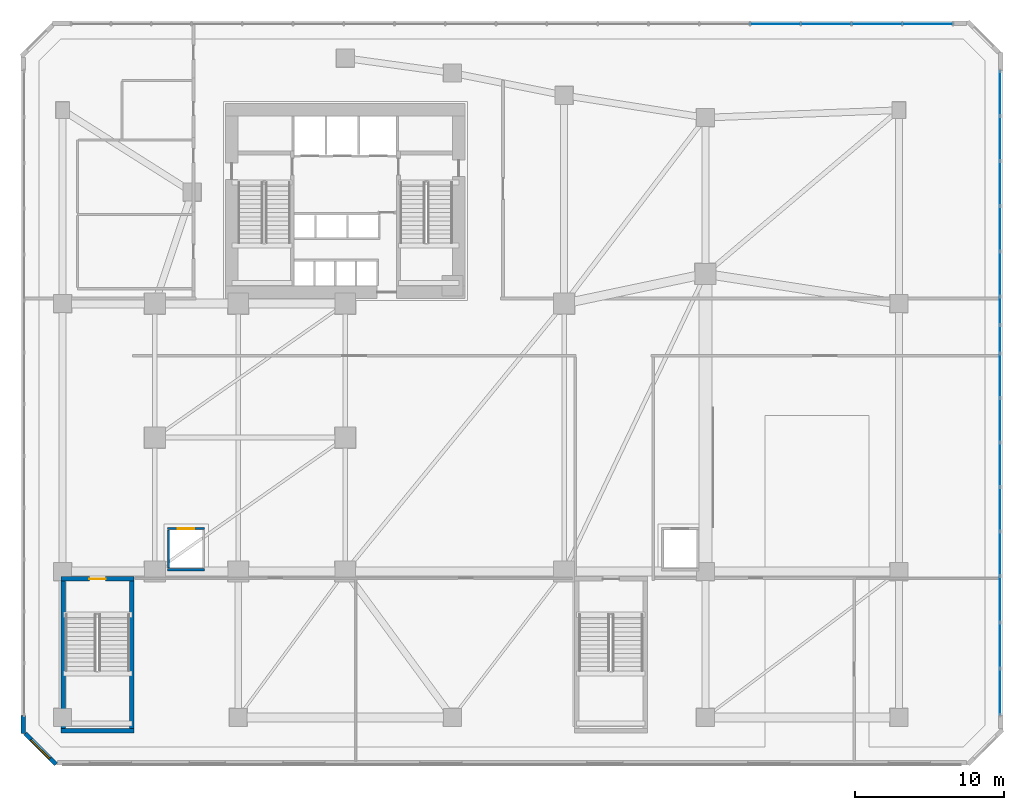
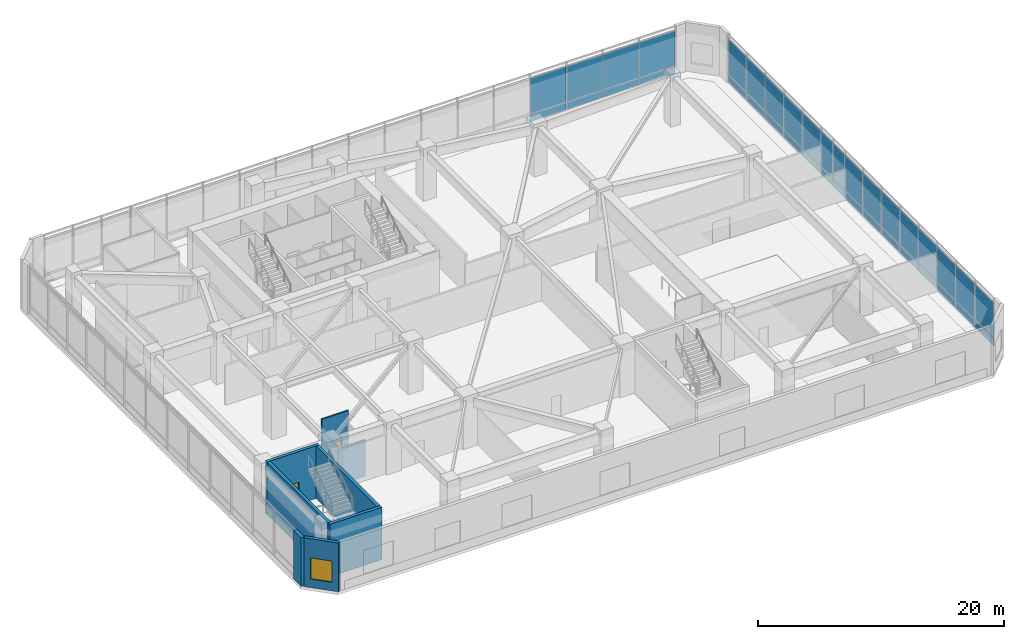
# One storey, part 9 of 15: 38 plates, 9 walls, 2 doors, 1 window, 3 openings, 2 elements without a shape of their own.
"""IFC4 building model written with IfcOpenShell, lengths in metres."""

from ifc_helpers import new_model, si_unit, direction, frame, frame_2d, origin, place, context, subcontext, project, spatial, rectangle, extrude, source, transform, mapped, material, layer, layer_set, type_object, element, fill, aggregate, save


model = new_model("IFC4")

# Units and contexts
model_context = context("Model", 3, precision=1e-05, world=origin(), true_north=direction((0.0, 1.0)))
body_context = subcontext(model_context, "Body", "Model", "MODEL_VIEW")
ifc_project = project(units=[si_unit("LENGTHUNIT", "METRE"), si_unit("AREAUNIT", "SQUARE_METRE"), si_unit("VOLUMEUNIT", "CUBIC_METRE"), si_unit("PLANEANGLEUNIT", "RADIAN"), si_unit("MASSUNIT", "GRAM", prefix="KILO")], contexts=[model_context])

# Site, building, storey
site_placement = place(None, origin())
site = spatial("IfcSite", under=ifc_project, at=site_placement, CompositionType="ELEMENT")
building_placement = place(site_placement, origin())
building = spatial("IfcBuilding", under=site, at=building_placement, Name="Calvemar Wedge Station Tower", CompositionType="ELEMENT")
storey_placement = place(building_placement, frame((0.0, 0.0, 16.39990234375)))
storey = spatial("IfcBuildingStorey", under=building, at=storey_placement, Name="L04", CompositionType="ELEMENT", Elevation=16.39990234375)

# Curtain wall, plates
ifc_material_1 = material(Name="Anodised aluminium 6063-T6", Category="aluminium")
curtain_wall_type = type_object("IfcCurtainWallType", Name="CW5", PredefinedType="NOTDEFINED", material=ifc_material_1)
curtain_wall_1_placement = place(storey_placement, origin())
curtain_wall_1 = element("IfcCurtainWall", 1, at=curtain_wall_1_placement, inside=storey, type_object=curtain_wall_type, Name="Storey L04 CW5 Recessed Unitised Curtain Wall 2", PredefinedType="NOTDEFINED")
ifc_material_2 = material(Name="Low-E laminated insulated glass", Category="glass")
ifc_layer_1 = layer(ifc_material_2, 0.028076171875)
ifc_layer_set_1 = layer_set([ifc_layer_1], Name="Low-E laminated insulated glass")
plate_type_1 = type_object("IfcPlateType", Name="CW5-GLZ", PredefinedType="CURTAIN_PANEL", material=ifc_layer_set_1)
plate_1_placement = place(storey_placement, frame((67.7900390625, 5.380126953125, 0.8701171875), z_axis=(0.0, 0.0, 1.0), x_axis=(0.0, 1.0, 0.0)))
plate_1 = element("IfcPlate", 2, at=plate_1_placement, type_object=plate_type_1, Name="CW5 vision glass panel 1", PredefinedType="CURTAIN_PANEL", context=body_context, shape_type="SweptSolid", body=[
    extrude(rectangle(XDim=3.0732421875, YDim=0.028076171875, at=frame_2d((1.53662109375, 0.0))), origin(), (0.0, 0.0, 1.0), 3.510009765625),
])
plate_2_placement = place(storey_placement, frame((67.7900390625, 8.489501953125, 0.8701171875), z_axis=(0.0, 0.0, 1.0), x_axis=(0.0, 1.0, 0.0)))
plate_2 = element("IfcPlate", 3, at=plate_2_placement, type_object=plate_type_1, Name="CW5 vision glass panel 2", PredefinedType="CURTAIN_PANEL", context=body_context, shape_type="SweptSolid", body=[
    extrude(rectangle(XDim=3.0732421875, YDim=0.028076171875, at=frame_2d((1.53662109375, 0.0))), origin(), (0.0, 0.0, 1.0), 3.510009765625),
])
plate_3_placement = place(storey_placement, frame((67.7900390625, 11.5986328125, 0.8701171875), z_axis=(0.0, 0.0, 1.0), x_axis=(0.0, 1.0, 0.0)))
plate_3 = element("IfcPlate", 4, at=plate_3_placement, type_object=plate_type_1, Name="CW5 vision glass panel 3", PredefinedType="CURTAIN_PANEL", context=body_context, shape_type="SweptSolid", body=[
    extrude(rectangle(XDim=3.073486328125, YDim=0.028076171875, at=frame_2d((1.53662109375, 0.0))), origin(), (0.0, 0.0, 1.0), 3.510009765625),
])
plate_4_placement = place(storey_placement, frame((67.7900390625, 14.7080078125, 0.8701171875), z_axis=(0.0, 0.0, 1.0), x_axis=(0.0, 1.0, 0.0)))
plate_4 = element("IfcPlate", 5, at=plate_4_placement, type_object=plate_type_1, Name="CW5 vision glass panel 4", PredefinedType="CURTAIN_PANEL", context=body_context, shape_type="SweptSolid", body=[
    extrude(rectangle(XDim=2.9541015625, YDim=0.028076171875, at=frame_2d((1.47705078125, 0.0))), origin(), (0.0, 0.0, 1.0), 3.510009765625),
])
plate_5_placement = place(storey_placement, frame((67.7900390625, 17.697998046875, 0.8701171875), z_axis=(0.0, 0.0, 1.0), x_axis=(0.0, 1.0, 0.0)))
plate_5 = element("IfcPlate", 6, at=plate_5_placement, type_object=plate_type_1, Name="CW5 vision glass panel 5", PredefinedType="CURTAIN_PANEL", context=body_context, shape_type="SweptSolid", body=[
    extrude(rectangle(XDim=2.9541015625, YDim=0.028076171875, at=frame_2d((1.47705078125, 0.0))), origin(), (0.0, 0.0, 1.0), 3.510009765625),
])
plate_6_placement = place(storey_placement, frame((67.7900390625, 20.68798828125, 0.8701171875), z_axis=(0.0, 0.0, 1.0), x_axis=(0.0, 1.0, 0.0)))
plate_6 = element("IfcPlate", 7, at=plate_6_placement, type_object=plate_type_1, Name="CW5 vision glass panel 6", PredefinedType="CURTAIN_PANEL", context=body_context, shape_type="SweptSolid", body=[
    extrude(rectangle(XDim=2.9541015625, YDim=0.028076171875, at=frame_2d((1.47705078125, 0.0))), origin(), (0.0, 0.0, 1.0), 3.510009765625),
])
plate_7_placement = place(storey_placement, frame((67.7900390625, 23.677978515625, 0.8701171875), z_axis=(0.0, 0.0, 1.0), x_axis=(0.0, 1.0, 0.0)))
plate_7 = element("IfcPlate", 8, at=plate_7_placement, type_object=plate_type_1, Name="CW5 vision glass panel 7", PredefinedType="CURTAIN_PANEL", context=body_context, shape_type="SweptSolid", body=[
    extrude(rectangle(XDim=2.9541015625, YDim=0.028076171875, at=frame_2d((1.47705078125, 0.0))), origin(), (0.0, 0.0, 1.0), 3.510009765625),
])
plate_8_placement = place(storey_placement, frame((67.7900390625, 26.66796875, 0.8701171875), z_axis=(0.0, 0.0, 1.0), x_axis=(0.0, 1.0, 0.0)))
plate_8 = element("IfcPlate", 9, at=plate_8_placement, type_object=plate_type_1, Name="CW5 vision glass panel 8", PredefinedType="CURTAIN_PANEL", context=body_context, shape_type="SweptSolid", body=[
    extrude(rectangle(XDim=2.9541015625, YDim=0.028076171875, at=frame_2d((1.47705078125, 0.0))), origin(), (0.0, 0.0, 1.0), 3.510009765625),
])
plate_9_placement = place(storey_placement, frame((67.7900390625, 29.657958984375, 0.8701171875), z_axis=(0.0, 0.0, 1.0), x_axis=(0.0, 1.0, 0.0)))
plate_9 = element("IfcPlate", 10, at=plate_9_placement, type_object=plate_type_1, Name="CW5 vision glass panel 9", PredefinedType="CURTAIN_PANEL", context=body_context, shape_type="SweptSolid", body=[
    extrude(rectangle(XDim=1.88916015625, YDim=0.028076171875, at=frame_2d((0.944580078125, 0.0))), origin(), (0.0, 0.0, 1.0), 3.510009765625),
])
plate_10_placement = place(storey_placement, frame((67.7900390625, 31.5830078125, 0.8701171875), z_axis=(0.0, 0.0, 1.0), x_axis=(0.0, 1.0, 0.0)))
plate_10 = element("IfcPlate", 11, at=plate_10_placement, type_object=plate_type_1, Name="CW5 vision glass panel 10", PredefinedType="CURTAIN_PANEL", context=body_context, shape_type="SweptSolid", body=[
    extrude(rectangle(XDim=1.888916015625, YDim=0.028076171875, at=frame_2d((0.9443359375, 0.0))), origin(), (0.0, 0.0, 1.0), 3.510009765625),
])
plate_11_placement = place(storey_placement, frame((67.7900390625, 33.508056640625, 0.8701171875), z_axis=(0.0, 0.0, 1.0), x_axis=(0.0, 1.0, 0.0)))
plate_11 = element("IfcPlate", 12, at=plate_11_placement, type_object=plate_type_1, Name="CW5 vision glass panel 11", PredefinedType="CURTAIN_PANEL", context=body_context, shape_type="SweptSolid", body=[
    extrude(rectangle(XDim=2.99365234375, YDim=0.028076171875, at=frame_2d((1.496826171875, 0.0))), origin(), (0.0, 0.0, 1.0), 3.510009765625),
])
plate_12_placement = place(storey_placement, frame((67.7900390625, 36.53759765625, 0.8701171875), z_axis=(0.0, 0.0, 1.0), x_axis=(0.0, 1.0, 0.0)))
plate_12 = element("IfcPlate", 13, at=plate_12_placement, type_object=plate_type_1, Name="CW5 vision glass panel 12", PredefinedType="CURTAIN_PANEL", context=body_context, shape_type="SweptSolid", body=[
    extrude(rectangle(XDim=2.99365234375, YDim=0.028076171875, at=frame_2d((1.496826171875, 0.0))), origin(), (0.0, 0.0, 1.0), 3.510009765625),
])
plate_13_placement = place(storey_placement, frame((67.7900390625, 39.567138671875, 0.8701171875), z_axis=(0.0, 0.0, 1.0), x_axis=(0.0, 1.0, 0.0)))
plate_13 = element("IfcPlate", 14, at=plate_13_placement, type_object=plate_type_1, Name="CW5 vision glass panel 13", PredefinedType="CURTAIN_PANEL", context=body_context, shape_type="SweptSolid", body=[
    extrude(rectangle(XDim=2.99365234375, YDim=0.028076171875, at=frame_2d((1.496826171875, 0.0))), origin(), (0.0, 0.0, 1.0), 3.510009765625),
])
plate_14_placement = place(storey_placement, frame((67.7900390625, 42.5966796875, 0.8701171875), z_axis=(0.0, 0.0, 1.0), x_axis=(0.0, 1.0, 0.0)))
plate_14 = element("IfcPlate", 15, at=plate_14_placement, type_object=plate_type_1, Name="CW5 vision glass panel 14", PredefinedType="CURTAIN_PANEL", context=body_context, shape_type="SweptSolid", body=[
    extrude(rectangle(XDim=2.99365234375, YDim=0.028076171875, at=frame_2d((1.496826171875, 0.0))), origin(), (0.0, 0.0, 1.0), 3.510009765625),
])
plate_15_placement = place(storey_placement, frame((67.7900390625, 45.626220703125, 0.8701171875), z_axis=(0.0, 0.0, 1.0), x_axis=(0.0, 1.0, 0.0)))
plate_15 = element("IfcPlate", 16, at=plate_15_placement, type_object=plate_type_1, Name="CW5 vision glass panel 15", PredefinedType="CURTAIN_PANEL", context=body_context, shape_type="SweptSolid", body=[
    extrude(rectangle(XDim=2.99365234375, YDim=0.028076171875, at=frame_2d((1.496826171875, 0.0))), origin(), (0.0, 0.0, 1.0), 3.510009765625),
])

curtain_wall_2_placement = place(storey_placement, origin())
curtain_wall_2 = element("IfcCurtainWall", 17, at=curtain_wall_2_placement, inside=storey, type_object=curtain_wall_type, Name="Storey L04 CW5 Recessed Unitised Curtain Wall 4", PredefinedType="NOTDEFINED")
plate_16_placement = place(storey_placement, frame((64.619873046875, 51.7900390625, 0.8701171875), z_axis=(0.0, 0.0, 1.0), x_axis=(-1.0, 0.0, 0.0)))
plate_16 = element("IfcPlate", 18, at=plate_16_placement, type_object=plate_type_1, Name="CW5 vision glass panel 1", PredefinedType="CURTAIN_PANEL", context=body_context, shape_type="SweptSolid", body=[
    extrude(rectangle(XDim=3.3759765625, YDim=0.028076171875, at=frame_2d((1.68798828125, 0.0))), origin(), (0.0, 0.0, 1.0), 3.510009765625),
])
plate_17_placement = place(storey_placement, frame((61.2080078125, 51.7900390625, 0.8701171875), z_axis=(0.0, 0.0, 1.0), x_axis=(-1.0, 0.0, 0.0)))
plate_17 = element("IfcPlate", 19, at=plate_17_placement, type_object=plate_type_1, Name="CW5 vision glass panel 2", PredefinedType="CURTAIN_PANEL", context=body_context, shape_type="SweptSolid", body=[
    extrude(rectangle(XDim=3.375732421875, YDim=0.028076171875, at=frame_2d((1.68798828125, 0.0))), origin(), (0.0, 0.0, 1.0), 3.510009765625),
])
plate_18_placement = place(storey_placement, frame((57.796142578125, 51.7900390625, 0.8701171875), z_axis=(0.0, 0.0, 1.0), x_axis=(-1.0, 0.0, 0.0)))
plate_18 = element("IfcPlate", 20, at=plate_18_placement, type_object=plate_type_1, Name="CW5 vision glass panel 3", PredefinedType="CURTAIN_PANEL", context=body_context, shape_type="SweptSolid", body=[
    extrude(rectangle(XDim=3.375732421875, YDim=0.028076171875, at=frame_2d((1.68798828125, 0.0))), origin(), (0.0, 0.0, 1.0), 3.510009765625),
])
plate_19_placement = place(storey_placement, frame((54.38427734375, 51.7900390625, 0.8701171875), z_axis=(0.0, 0.0, 1.0), x_axis=(-1.0, 0.0, 0.0)))
plate_19 = element("IfcPlate", 21, at=plate_19_placement, type_object=plate_type_1, Name="CW5 vision glass panel 4", PredefinedType="CURTAIN_PANEL", context=body_context, shape_type="SweptSolid", body=[
    extrude(rectangle(XDim=3.375732421875, YDim=0.028076171875, at=frame_2d((1.68798828125, 0.0))), origin(), (0.0, 0.0, 1.0), 3.510009765625),
])

# Plate
ifc_material_3 = material(Name="Oxidized bronze aluminium spandrel panel 5005-H24", Category="aluminium")
ifc_layer_2 = layer(ifc_material_3, 0.0400390625)
ifc_layer_set_2 = layer_set([ifc_layer_2], Name="Oxidized bronze aluminium spandrel panel 5005-H24")
plate_type_2 = type_object("IfcPlateType", Name="CW5-SPD", PredefinedType="SHEET", material=ifc_layer_set_2)
plate_20_placement = place(storey_placement, frame((67.7900390625, 5.380126953125, 0.080078125), z_axis=(0.0, 0.0, 1.0), x_axis=(0.0, 1.0, 0.0)))
plate_20 = element("IfcPlate", 22, at=plate_20_placement, type_object=plate_type_2, Name="CW5 bronze spandrel panel 1", PredefinedType="SHEET", context=body_context, shape_type="SweptSolid", body=[
    extrude(rectangle(XDim=3.0732421875, YDim=0.0400390625, at=frame_2d((1.53662109375, 0.0))), origin(), (0.0, 0.0, 1.0), 0.75),
])

plate_21_placement = place(storey_placement, frame((67.7900390625, 8.489501953125, 0.080078125), z_axis=(0.0, 0.0, 1.0), x_axis=(0.0, 1.0, 0.0)))
plate_21 = element("IfcPlate", 23, at=plate_21_placement, type_object=plate_type_2, Name="CW5 bronze spandrel panel 2", PredefinedType="SHEET", context=body_context, shape_type="SweptSolid", body=[
    extrude(rectangle(XDim=3.0732421875, YDim=0.0400390625, at=frame_2d((1.53662109375, 0.0))), origin(), (0.0, 0.0, 1.0), 0.75),
])

plate_22_placement = place(storey_placement, frame((67.7900390625, 11.5986328125, 0.080078125), z_axis=(0.0, 0.0, 1.0), x_axis=(0.0, 1.0, 0.0)))
plate_22 = element("IfcPlate", 24, at=plate_22_placement, type_object=plate_type_2, Name="CW5 bronze spandrel panel 3", PredefinedType="SHEET", context=body_context, shape_type="SweptSolid", body=[
    extrude(rectangle(XDim=3.073486328125, YDim=0.0400390625, at=frame_2d((1.53662109375, 0.0))), origin(), (0.0, 0.0, 1.0), 0.75),
])

plate_23_placement = place(storey_placement, frame((67.7900390625, 14.7080078125, 0.080078125), z_axis=(0.0, 0.0, 1.0), x_axis=(0.0, 1.0, 0.0)))
plate_23 = element("IfcPlate", 25, at=plate_23_placement, type_object=plate_type_2, Name="CW5 bronze spandrel panel 4", PredefinedType="SHEET", context=body_context, shape_type="SweptSolid", body=[
    extrude(rectangle(XDim=2.9541015625, YDim=0.0400390625, at=frame_2d((1.47705078125, 0.0))), origin(), (0.0, 0.0, 1.0), 0.75),
])

plate_24_placement = place(storey_placement, frame((67.7900390625, 17.697998046875, 0.080078125), z_axis=(0.0, 0.0, 1.0), x_axis=(0.0, 1.0, 0.0)))
plate_24 = element("IfcPlate", 26, at=plate_24_placement, type_object=plate_type_2, Name="CW5 bronze spandrel panel 5", PredefinedType="SHEET", context=body_context, shape_type="SweptSolid", body=[
    extrude(rectangle(XDim=2.9541015625, YDim=0.0400390625, at=frame_2d((1.47705078125, 0.0))), origin(), (0.0, 0.0, 1.0), 0.75),
])

plate_25_placement = place(storey_placement, frame((67.7900390625, 20.68798828125, 0.080078125), z_axis=(0.0, 0.0, 1.0), x_axis=(0.0, 1.0, 0.0)))
plate_25 = element("IfcPlate", 27, at=plate_25_placement, type_object=plate_type_2, Name="CW5 bronze spandrel panel 6", PredefinedType="SHEET", context=body_context, shape_type="SweptSolid", body=[
    extrude(rectangle(XDim=2.9541015625, YDim=0.0400390625, at=frame_2d((1.47705078125, 0.0))), origin(), (0.0, 0.0, 1.0), 0.75),
])

plate_26_placement = place(storey_placement, frame((67.7900390625, 23.677978515625, 0.080078125), z_axis=(0.0, 0.0, 1.0), x_axis=(0.0, 1.0, 0.0)))
plate_26 = element("IfcPlate", 28, at=plate_26_placement, type_object=plate_type_2, Name="CW5 bronze spandrel panel 7", PredefinedType="SHEET", context=body_context, shape_type="SweptSolid", body=[
    extrude(rectangle(XDim=2.9541015625, YDim=0.0400390625, at=frame_2d((1.47705078125, 0.0))), origin(), (0.0, 0.0, 1.0), 0.75),
])

plate_27_placement = place(storey_placement, frame((67.7900390625, 26.66796875, 0.080078125), z_axis=(0.0, 0.0, 1.0), x_axis=(0.0, 1.0, 0.0)))
plate_27 = element("IfcPlate", 29, at=plate_27_placement, type_object=plate_type_2, Name="CW5 bronze spandrel panel 8", PredefinedType="SHEET", context=body_context, shape_type="SweptSolid", body=[
    extrude(rectangle(XDim=2.9541015625, YDim=0.0400390625, at=frame_2d((1.47705078125, 0.0))), origin(), (0.0, 0.0, 1.0), 0.75),
])

plate_28_placement = place(storey_placement, frame((67.7900390625, 29.657958984375, 0.080078125), z_axis=(0.0, 0.0, 1.0), x_axis=(0.0, 1.0, 0.0)))
plate_28 = element("IfcPlate", 30, at=plate_28_placement, type_object=plate_type_2, Name="CW5 bronze spandrel panel 9", PredefinedType="SHEET", context=body_context, shape_type="SweptSolid", body=[
    extrude(rectangle(XDim=1.88916015625, YDim=0.0400390625, at=frame_2d((0.944580078125, 0.0))), origin(), (0.0, 0.0, 1.0), 0.75),
])

plate_29_placement = place(storey_placement, frame((67.7900390625, 31.5830078125, 0.080078125), z_axis=(0.0, 0.0, 1.0), x_axis=(0.0, 1.0, 0.0)))
plate_29 = element("IfcPlate", 31, at=plate_29_placement, type_object=plate_type_2, Name="CW5 bronze spandrel panel 10", PredefinedType="SHEET", context=body_context, shape_type="SweptSolid", body=[
    extrude(rectangle(XDim=1.888916015625, YDim=0.0400390625, at=frame_2d((0.9443359375, 0.0))), origin(), (0.0, 0.0, 1.0), 0.75),
])

plate_30_placement = place(storey_placement, frame((67.7900390625, 33.508056640625, 0.080078125), z_axis=(0.0, 0.0, 1.0), x_axis=(0.0, 1.0, 0.0)))
plate_30 = element("IfcPlate", 32, at=plate_30_placement, type_object=plate_type_2, Name="CW5 bronze spandrel panel 11", PredefinedType="SHEET", context=body_context, shape_type="SweptSolid", body=[
    extrude(rectangle(XDim=2.99365234375, YDim=0.0400390625, at=frame_2d((1.496826171875, 0.0))), origin(), (0.0, 0.0, 1.0), 0.75),
])

plate_31_placement = place(storey_placement, frame((67.7900390625, 36.53759765625, 0.080078125), z_axis=(0.0, 0.0, 1.0), x_axis=(0.0, 1.0, 0.0)))
plate_31 = element("IfcPlate", 33, at=plate_31_placement, type_object=plate_type_2, Name="CW5 bronze spandrel panel 12", PredefinedType="SHEET", context=body_context, shape_type="SweptSolid", body=[
    extrude(rectangle(XDim=2.99365234375, YDim=0.0400390625, at=frame_2d((1.496826171875, 0.0))), origin(), (0.0, 0.0, 1.0), 0.75),
])

plate_32_placement = place(storey_placement, frame((67.7900390625, 39.567138671875, 0.080078125), z_axis=(0.0, 0.0, 1.0), x_axis=(0.0, 1.0, 0.0)))
plate_32 = element("IfcPlate", 34, at=plate_32_placement, type_object=plate_type_2, Name="CW5 bronze spandrel panel 13", PredefinedType="SHEET", context=body_context, shape_type="SweptSolid", body=[
    extrude(rectangle(XDim=2.99365234375, YDim=0.0400390625, at=frame_2d((1.496826171875, 0.0))), origin(), (0.0, 0.0, 1.0), 0.75),
])

plate_33_placement = place(storey_placement, frame((67.7900390625, 42.5966796875, 0.080078125), z_axis=(0.0, 0.0, 1.0), x_axis=(0.0, 1.0, 0.0)))
plate_33 = element("IfcPlate", 35, at=plate_33_placement, type_object=plate_type_2, Name="CW5 bronze spandrel panel 14", PredefinedType="SHEET", context=body_context, shape_type="SweptSolid", body=[
    extrude(rectangle(XDim=2.99365234375, YDim=0.0400390625, at=frame_2d((1.496826171875, 0.0))), origin(), (0.0, 0.0, 1.0), 0.75),
])

plate_34_placement = place(storey_placement, frame((67.7900390625, 45.626220703125, 0.080078125), z_axis=(0.0, 0.0, 1.0), x_axis=(0.0, 1.0, 0.0)))
plate_34 = element("IfcPlate", 36, at=plate_34_placement, type_object=plate_type_2, Name="CW5 bronze spandrel panel 15", PredefinedType="SHEET", context=body_context, shape_type="SweptSolid", body=[
    extrude(rectangle(XDim=2.99365234375, YDim=0.0400390625, at=frame_2d((1.496826171875, 0.0))), origin(), (0.0, 0.0, 1.0), 0.75),
])

aggregate(curtain_wall_1, [plate_20, plate_1, plate_21, plate_2, plate_22, plate_3, plate_23, plate_4, plate_24, plate_5, plate_25, plate_6, plate_26, plate_7, plate_27, plate_8, plate_28, plate_9, plate_29, plate_10, plate_30, plate_11, plate_31, plate_12, plate_32, plate_13, plate_33, plate_14, plate_34, plate_15])

plate_35_placement = place(storey_placement, frame((64.619873046875, 51.7900390625, 0.080078125), z_axis=(0.0, 0.0, 1.0), x_axis=(-1.0, 0.0, 0.0)))
plate_35 = element("IfcPlate", 37, at=plate_35_placement, type_object=plate_type_2, Name="CW5 bronze spandrel panel 1", PredefinedType="SHEET", context=body_context, shape_type="SweptSolid", body=[
    extrude(rectangle(XDim=3.3759765625, YDim=0.0400390625, at=frame_2d((1.68798828125, 0.0))), origin(), (0.0, 0.0, 1.0), 0.75),
])

plate_36_placement = place(storey_placement, frame((61.2080078125, 51.7900390625, 0.080078125), z_axis=(0.0, 0.0, 1.0), x_axis=(-1.0, 0.0, 0.0)))
plate_36 = element("IfcPlate", 38, at=plate_36_placement, type_object=plate_type_2, Name="CW5 bronze spandrel panel 2", PredefinedType="SHEET", context=body_context, shape_type="SweptSolid", body=[
    extrude(rectangle(XDim=3.375732421875, YDim=0.0400390625, at=frame_2d((1.68798828125, 0.0))), origin(), (0.0, 0.0, 1.0), 0.75),
])

plate_37_placement = place(storey_placement, frame((57.796142578125, 51.7900390625, 0.080078125), z_axis=(0.0, 0.0, 1.0), x_axis=(-1.0, 0.0, 0.0)))
plate_37 = element("IfcPlate", 39, at=plate_37_placement, type_object=plate_type_2, Name="CW5 bronze spandrel panel 3", PredefinedType="SHEET", context=body_context, shape_type="SweptSolid", body=[
    extrude(rectangle(XDim=3.375732421875, YDim=0.0400390625, at=frame_2d((1.68798828125, 0.0))), origin(), (0.0, 0.0, 1.0), 0.75),
])

plate_38_placement = place(storey_placement, frame((54.38427734375, 51.7900390625, 0.080078125), z_axis=(0.0, 0.0, 1.0), x_axis=(-1.0, 0.0, 0.0)))
plate_38 = element("IfcPlate", 40, at=plate_38_placement, type_object=plate_type_2, Name="CW5 bronze spandrel panel 4", PredefinedType="SHEET", context=body_context, shape_type="SweptSolid", body=[
    extrude(rectangle(XDim=3.375732421875, YDim=0.0400390625, at=frame_2d((1.68798828125, 0.0))), origin(), (0.0, 0.0, 1.0), 0.75),
])

aggregate(curtain_wall_2, [plate_35, plate_16, plate_36, plate_17, plate_37, plate_18, plate_38, plate_19])

# Walls
ifc_material_4 = material(Name="Concrete C50", Category="concrete")
ifc_layer_3 = layer(ifc_material_4, 0.300048828125)
ifc_layer_set_3 = layer_set([ifc_layer_3], Name="Concrete C50")
wall_type_1 = type_object("IfcWallType", Name="SW-CORE-300", PredefinedType="SHEAR", material=ifc_layer_set_3)
for number, where, z_axis, x_axis, name in (
    (41, (4.85009765625, 4.449951171875, 0.0), (0.0, 0.0, 1.0), (0.0, 1.0, 0.0), "Storey L04 Podium Stair STP1 Structural Wall W"),
    (42, (9.449951171875, 4.449951171875, 0.0), (0.0, 0.0, 1.0), (0.0, 1.0, 0.0), "Storey L04 Podium Stair STP1 Structural Wall E"),
):
    element("IfcWall", number, at=place(storey_placement, frame(where, z_axis=z_axis, x_axis=x_axis)), inside=storey, type_object=wall_type_1, Name=name, PredefinedType="SHEAR", context=body_context, shape_type="SweptSolid", body=[
        extrude(rectangle(XDim=9.900146484375, YDim=0.300048828125, at=frame_2d((4.9501953125, 0.0))), origin(), (0.0, 0.0, 1.0), 5.2001953125),
    ])
wall_1_placement = place(storey_placement, frame((4.699951171875, 4.300048828125, 0.0), z_axis=(0.0, 0.0, 1.0), x_axis=(1.0, 0.0, 0.0)))
element("IfcWall", 43, at=wall_1_placement, inside=storey, type_object=wall_type_1, Name="Storey L04 Podium Stair STP1 Structural Wall S", PredefinedType="SHEAR", context=body_context, shape_type="SweptSolid", body=[
    extrude(rectangle(XDim=4.900146484375, YDim=0.300048828125, at=frame_2d((2.4501953125, 0.0))), origin(), (0.0, 0.0, 1.0), 5.2001953125),
])

# Wall, opening, door
wall_2_placement = place(storey_placement, frame((4.699951171875, 14.5, 0.0), z_axis=(0.0, 0.0, 1.0), x_axis=(1.0, 0.0, 0.0)))
wall_2 = element("IfcWall", 44, at=wall_2_placement, inside=storey, type_object=wall_type_1, Name="Storey L04 Podium Stair STP1 Structural Wall N", PredefinedType="SHEAR", context=body_context, shape_type="SweptSolid", body=[
    extrude(rectangle(XDim=4.900146484375, YDim=0.300048828125, at=frame_2d((2.4501953125, 0.0))), origin(), (0.0, 0.0, 1.0), 5.2001953125),
])
shared_shape_1 = source(origin(), body_context, "Body", "SweptSolid", [
    extrude(rectangle(XDim=1.10009765625, YDim=2.14990234375, at=frame_2d((0.550048828125, 1.074951171875))), frame((0.0, 0.16015625, 0.0), z_axis=(0.0, -1.0, 0.0), x_axis=(1.0, 0.0, 0.0)), (0.0, 0.0, 1.0), 0.320068359375),
])
opening_1_placement = place(wall_2_placement, frame((1.89990234375, 0.0, 0.0)))
opening_1 = element("IfcOpeningElement", 45, at=opening_1_placement, cuts=wall_2, Name="Opening FD-90", PredefinedType="OPENING", context=body_context, shape_type="MappedRepresentation", body=[
    mapped(shared_shape_1, transform((0.0, 0.0, 0.0), scale=1.0)),
])
ifc_material_5 = material(Name="Galvanized fire-rated steel door leaf P-90", Category="steel")
door_type_1 = type_object("IfcDoorType", Name="DR-FD90-1100", OperationType="NOTDEFINED", PredefinedType="DOOR", material=ifc_material_5)
shared_shape_2 = source(origin(), body_context, "Body", "SweptSolid", [
    extrude(rectangle(XDim=1.10009765625, YDim=2.14990234375, at=frame_2d((0.550048828125, 1.074951171875))), frame((0.0, 0.02490234375, 0.0), z_axis=(0.0, -1.0, 0.0), x_axis=(1.0, 0.0, 0.0)), (0.0, 0.0, 1.0), 0.050048828125),
])
door_1_placement = place(opening_1_placement, origin())
door_1 = element("IfcDoor", 46, at=door_1_placement, inside=storey, type_object=door_type_1, Name="L04 Exit Stair ST-P1 Door", OperationType="SINGLE_SWING_RIGHT", OverallHeight=2.14990234375, OverallWidth=1.10009765625, PredefinedType="DOOR", context=body_context, shape_type="MappedRepresentation", body=[
    mapped(shared_shape_2, transform((0.0, 0.0, 0.0), scale=1.0)),
])
fill(opening_1, door_1)

# Wall
ifc_material_6 = material(Name="Precast concrete C45", Category="concrete")
ifc_layer_4 = layer(ifc_material_6, 0.300048828125)
ifc_layer_set_4 = layer_set([ifc_layer_4], Name="Precast concrete C45")
wall_type_2 = type_object("IfcWallType", Name="W-EXT-GFRC-300", PredefinedType="SOLIDWALL", material=ifc_layer_set_4)
wall_3_placement = place(storey_placement, frame((2.14990234375, 5.334716796875, 0.0), z_axis=(0.0, 0.0, 1.0), x_axis=(0.0, -1.0, 0.0)))
element("IfcWall", 47, at=wall_3_placement, inside=storey, type_object=wall_type_2, Name="Storey L04 Bronze GFRC Corner Pier 6B", PredefinedType="SOLIDWALL", context=body_context, shape_type="SweptSolid", body=[
    extrude(rectangle(XDim=1.22265625, YDim=0.300048828125, at=frame_2d((0.611328125, 0.0))), origin(), (0.0, 0.0, 1.0), 4.85009765625),
])

# Wall, opening, window
wall_4_placement = place(storey_placement, frame((2.2880859375, 4.1240234375, 0.0), z_axis=(0.0, 0.0, 1.0), x_axis=(0.707106781187, -0.707106781187, 0.0)))
wall_4 = element("IfcWall", 48, at=wall_4_placement, inside=storey, type_object=wall_type_2, Name="Storey L04 Bronze GFRC Exterior Wall 7", PredefinedType="SOLIDWALL", context=body_context, shape_type="SweptSolid", body=[
    extrude(rectangle(XDim=2.941650390625, YDim=0.300048828125, at=frame_2d((1.470703125, 0.0))), origin(), (0.0, 0.0, 1.0), 4.85009765625),
])
shared_shape_3 = source(origin(), body_context, "Body", "SweptSolid", [
    extrude(rectangle(XDim=1.800048828125, YDim=2.10009765625, at=frame_2d((0.89990234375, 1.050048828125))), frame((0.0, 0.16015625, 0.0), z_axis=(0.0, -1.0, 0.0), x_axis=(1.0, 0.0, 0.0)), (0.0, 0.0, 1.0), 0.320068359375),
])
opening_2_placement = place(wall_4_placement, frame((0.571044921875, 0.0, 0.85009765625)))
opening_2 = element("IfcOpeningElement", 49, at=opening_2_placement, cuts=wall_4, Name="Opening W2", PredefinedType="OPENING", context=body_context, shape_type="MappedRepresentation", body=[
    mapped(shared_shape_3, transform((0.0, 0.0, 0.0), scale=1.0)),
])
window_type = type_object("IfcWindowType", Name="WIN-EXT-2", PartitioningType="SINGLE_PANEL", PredefinedType="WINDOW", material=ifc_material_2)
shared_shape_4 = source(origin(), body_context, "Body", "SweptSolid", [
    extrude(rectangle(XDim=1.800048828125, YDim=2.10009765625, at=frame_2d((0.89990234375, 1.050048828125))), frame((0.0, -0.014892578125, 0.0), z_axis=(0.0, -1.0, 0.0), x_axis=(1.0, 0.0, 0.0)), (0.0, 0.0, 1.0), 0.06005859375),
])
window_placement = place(opening_2_placement, origin())
window = element("IfcWindow", 50, at=window_placement, inside=storey, type_object=window_type, Name="Storey L04 Recessed Window 7.1", OverallHeight=2.10009765625, OverallWidth=1.800048828125, PartitioningType="SINGLE_PANEL", PredefinedType="WINDOW", context=body_context, shape_type="MappedRepresentation", body=[
    mapped(shared_shape_4, transform((0.0, 0.0, 0.0), scale=1.0)),
])
fill(opening_2, window)

# Wall, opening, door
ifc_material_7 = material(Name="Reinforced concrete blockwork lift shaft wall", Category="masonry")
ifc_layer_5 = layer(ifc_material_7, 0.139892578125)
ifc_layer_set_5 = layer_set([ifc_layer_5], Name="Reinforced concrete blockwork lift shaft wall")
wall_type_3 = type_object("IfcWallType", Name="W-LIFT-160", PredefinedType="SOLIDWALL", material=ifc_layer_set_5)
wall_5_placement = place(storey_placement, frame((11.85009765625, 17.8798828125, 0.0), z_axis=(0.0, 0.0, 1.0), x_axis=(1.0, 0.0, 0.0)))
wall_5 = element("IfcWall", 51, at=wall_5_placement, inside=storey, type_object=wall_type_3, Name="Storey L04 Station Lift SL-01 Shaft Wall N", PredefinedType="SOLIDWALL", context=body_context, shape_type="SweptSolid", body=[
    extrude(rectangle(XDim=2.5, YDim=0.139892578125, at=frame_2d((1.25, 0.0))), origin(), (0.0, 0.0, 1.0), 4.85009765625),
])
shared_shape_5 = source(origin(), body_context, "Body", "SweptSolid", [
    extrude(rectangle(XDim=1.10009765625, YDim=2.14990234375, at=frame_2d((0.550048828125, 1.074951171875))), frame((0.0, 0.080078125, 0.0), z_axis=(0.0, -1.0, 0.0), x_axis=(1.0, 0.0, 0.0)), (0.0, 0.0, 1.0), 0.159912109375),
])
opening_3_placement = place(wall_5_placement, frame((0.699951171875, 0.0, 0.0)))
opening_3 = element("IfcOpeningElement", 52, at=opening_3_placement, cuts=wall_5, Name="Opening LD-STN", PredefinedType="OPENING", context=body_context, shape_type="MappedRepresentation", body=[
    mapped(shared_shape_5, transform((0.0, 0.0, 0.0), scale=1.0)),
])
ifc_material_8 = material(Name="Stainless steel transit lift sliding landing door", Category="steel")
door_type_2 = type_object("IfcDoorType", Name="DR-LD-PAX-1100", OperationType="SLIDING_TO_LEFT", PredefinedType="DOOR", material=ifc_material_8)
shared_shape_6 = source(origin(), body_context, "Body", "SweptSolid", [
    extrude(rectangle(XDim=1.10009765625, YDim=2.14990234375, at=frame_2d((0.550048828125, 1.074951171875))), frame((0.0, 0.02490234375, 0.0), z_axis=(0.0, -1.0, 0.0), x_axis=(1.0, 0.0, 0.0)), (0.0, 0.0, 1.0), 0.050048828125),
])
door_2_placement = place(opening_3_placement, origin())
door_2 = element("IfcDoor", 53, at=door_2_placement, inside=storey, type_object=door_type_2, Name="L04 Station Lift SL-01 Sliding Landing Door", OperationType="SLIDING_TO_LEFT", OverallHeight=2.14990234375, OverallWidth=1.10009765625, PredefinedType="DOOR", context=body_context, shape_type="MappedRepresentation", body=[
    mapped(shared_shape_6, transform((0.0, 0.0, 0.0), scale=1.0)),
])
fill(opening_3, door_2)

# Walls
wall_6_placement = place(storey_placement, frame((11.85009765625, 15.1201171875, 0.0), z_axis=(0.0, 0.0, 1.0), x_axis=(1.0, 0.0, 0.0)))
element("IfcWall", 54, at=wall_6_placement, inside=storey, type_object=wall_type_3, Name="Storey L04 Station Lift SL-01 Shaft Wall S", PredefinedType="SOLIDWALL", context=body_context, shape_type="SweptSolid", body=[
    extrude(rectangle(XDim=2.5, YDim=0.139892578125, at=frame_2d((1.25, 0.0))), origin(), (0.0, 0.0, 1.0), 3.64208984375),
])
wall_7_placement = place(storey_placement, frame((11.919921875, 15.219970703125, 0.0), z_axis=(0.0, 0.0, 1.0), x_axis=(0.0, 1.0, 0.0)))
element("IfcWall", 55, at=wall_7_placement, inside=storey, type_object=wall_type_3, Name="Storey L04 Station Lift SL-01 Shaft Wall W", PredefinedType="SOLIDWALL", context=body_context, shape_type="SweptSolid", body=[
    extrude(rectangle(XDim=2.56005859375, YDim=0.139892578125, at=frame_2d((1.280029296875, 0.0))), origin(), (0.0, 0.0, 1.0), 3.64208984375),
])

save(model, "model.ifc")
